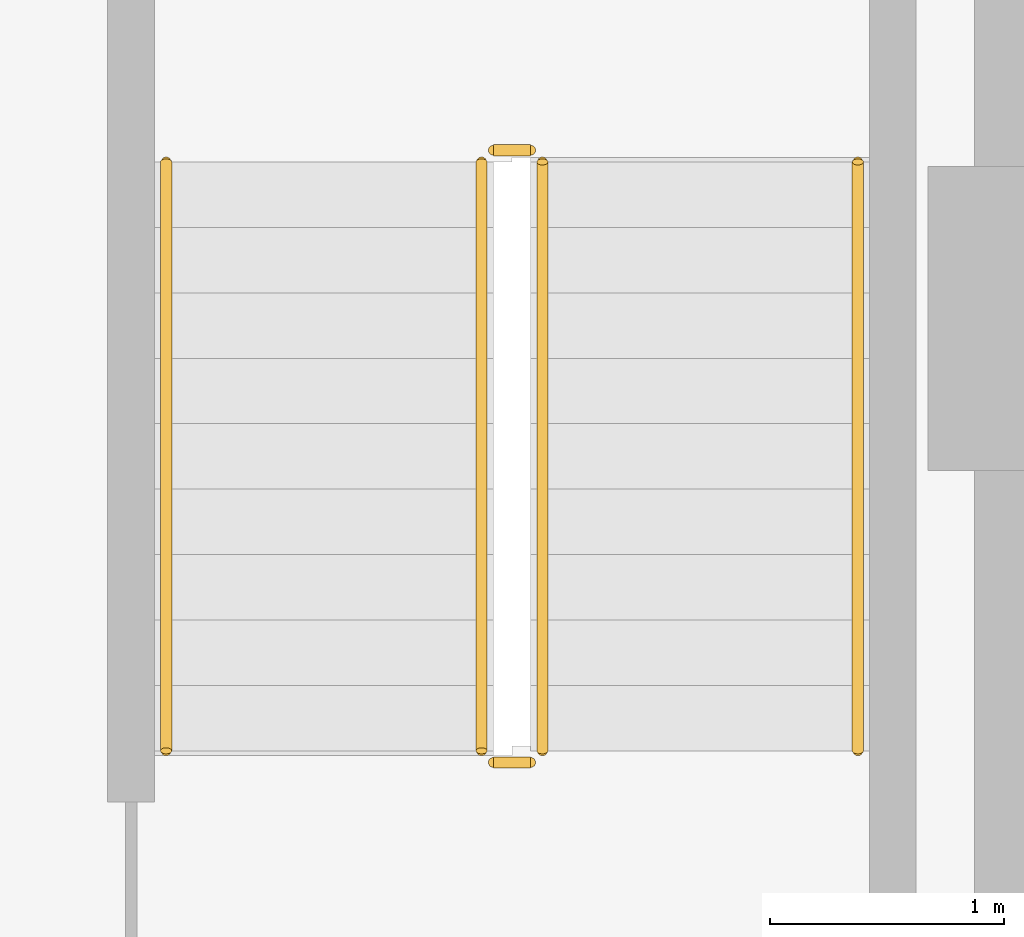
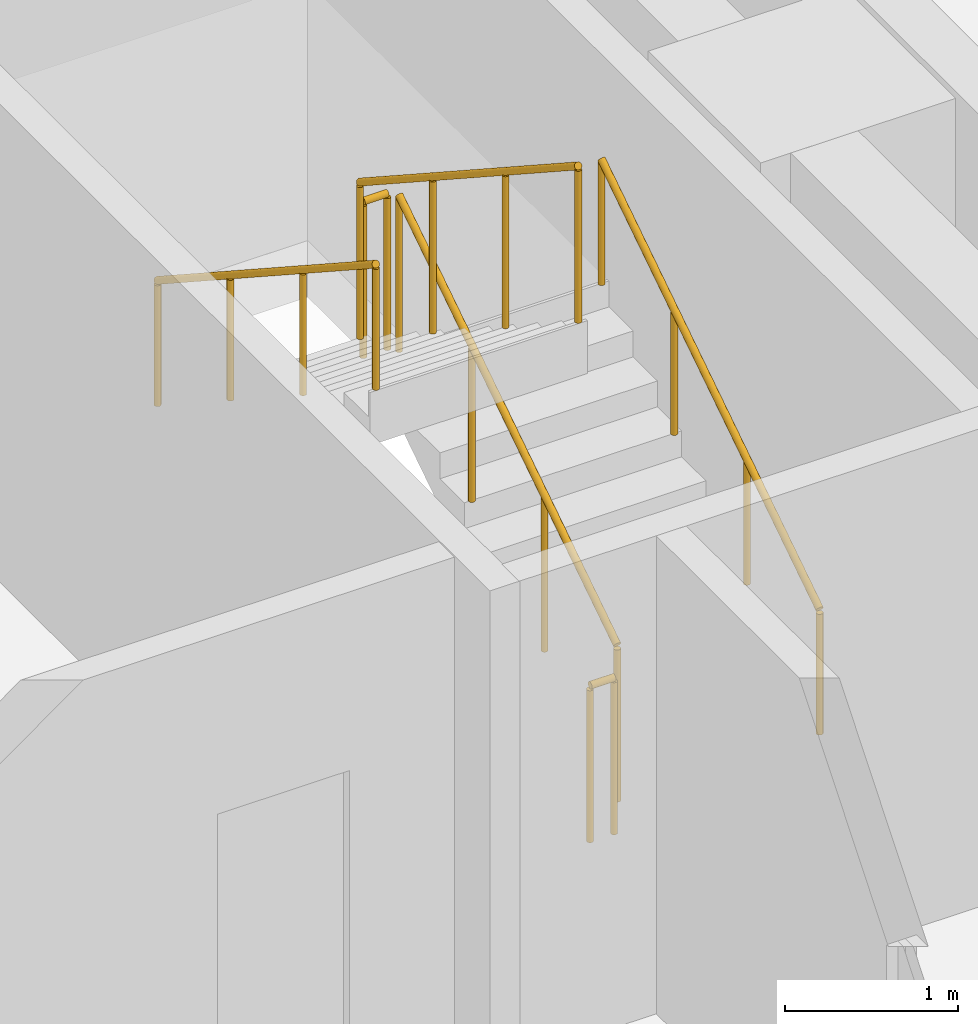
# One storey, part 12 of 13: 6 railings.
"""IFC4 building model written with IfcOpenShell, lengths in metres."""

from ifc_helpers import new_model, si_unit, direction, frame, origin, origin_2d, place, context, subcontext, project, spatial, circle, extrude, material, type_object, element, save


model = new_model("IFC4")

# Units and contexts
model_context = context("Model", 3, precision=1e-05, world=origin(), true_north=direction((0.0, 1.0)))
body_context = subcontext(model_context, "Body", "Model", "MODEL_VIEW")
ifc_project = project(units=[si_unit("LENGTHUNIT", "METRE"), si_unit("AREAUNIT", "SQUARE_METRE"), si_unit("VOLUMEUNIT", "CUBIC_METRE"), si_unit("PLANEANGLEUNIT", "RADIAN"), si_unit("MASSUNIT", "GRAM", prefix="KILO")], contexts=[model_context])

# Site, building, storey
site_placement = place(None, origin())
site = spatial("IfcSite", under=ifc_project, at=site_placement, CompositionType="ELEMENT")
building_placement = place(site_placement, origin())
building = spatial("IfcBuilding", under=site, at=building_placement, Name="Nuvemarco Arch Tower", CompositionType="ELEMENT")
storey_placement = place(building_placement, frame((0.0, 0.0, 27.60009765625)))
storey = spatial("IfcBuildingStorey", under=building, at=storey_placement, Name="L06", CompositionType="ELEMENT", Elevation=27.60009765625)

# Railings
ifc_material_1 = material(Name="Brushed stainless steel handrail", Category="steel")
railing_type_1 = type_object("IfcRailingType", Name="RL-HANDRAIL-900", PredefinedType="HANDRAIL", material=ifc_material_1)
railing_1_placement = place(storey_placement, frame((16.550048828125, 2.64990234375, 0.182373046875)))
element("IfcRailing", 1, at=railing_1_placement, inside=storey, type_object=railing_type_1, Name="L06 ST-2 stair handrail 1", PredefinedType="HANDRAIL", context=body_context, shape_type="SweptSolid", body=[
    extrude(circle(Radius=0.02392578125, at=origin_2d()), frame((0.0, 0.0, 0.8759765625), z_axis=(0.0, 0.837749427056, 0.546054848405), x_axis=(-1.0, 0.0, 0.0)), (0.0, 0.0, 1.0), 3.008056640625),
    extrude(circle(Radius=0.02099609375, at=origin_2d()), origin(), (0.0, 0.0, 1.0), 0.851806640625),
    extrude(circle(Radius=0.02099609375, at=origin_2d()), frame((0.0, 0.840087890625, 0.547607421875)), (0.0, 0.0, 1.0), 0.851806640625),
    extrude(circle(Radius=0.02099609375, at=origin_2d()), frame((0.0, 1.679931640625, 1.094970703125)), (0.0, 0.0, 1.0), 0.851806640625),
    extrude(circle(Radius=0.02099609375, at=origin_2d()), frame((0.0, 2.52001953125, 1.642578125)), (0.0, 0.0, 1.0), 0.851806640625),
])
railing_2_placement = place(storey_placement, frame((13.590087890625, 5.169921875, 2.00732421875)))
element("IfcRailing", 2, at=railing_2_placement, inside=storey, type_object=railing_type_1, Name="L06 ST-2 stair handrail 2", PredefinedType="HANDRAIL", context=body_context, shape_type="SweptSolid", body=[
    extrude(circle(Radius=0.02392578125, at=origin_2d()), frame((0.0, 0.0, 0.8759765625), z_axis=(0.0, -0.837749427056, 0.546054848405), x_axis=(1.0, 0.0, 0.0)), (0.0, 0.0, 1.0), 3.008056640625),
    extrude(circle(Radius=0.02099609375, at=origin_2d()), origin(), (0.0, 0.0, 1.0), 0.851806640625),
    extrude(circle(Radius=0.02099609375, at=origin_2d()), frame((0.0, -0.840087890625, 0.547607421875)), (0.0, 0.0, 1.0), 0.851806640625),
    extrude(circle(Radius=0.02099609375, at=origin_2d()), frame((0.0, -1.679931640625, 1.094970703125)), (0.0, 0.0, 1.0), 0.851806640625),
    extrude(circle(Radius=0.02099609375, at=origin_2d()), frame((0.0, -2.52001953125, 1.642578125)), (0.0, 0.0, 1.0), 0.851806640625),
])
ifc_material_2 = material(Name="Painted balustrade steel S355", Category="steel")
railing_type_2 = type_object("IfcRailingType", Name="RL-STAIR-GUARD", PredefinedType="GUARDRAIL", material=ifc_material_2)
railing_3_placement = place(storey_placement, frame((15.199951171875, 2.64990234375, 0.182373046875)))
element("IfcRailing", 3, at=railing_3_placement, inside=storey, type_object=railing_type_2, Name="L06 ST-2 stair guard 1", PredefinedType="GUARDRAIL", context=body_context, shape_type="SweptSolid", body=[
    extrude(circle(Radius=0.02392578125, at=origin_2d()), frame((0.0, 0.0, 1.09619140625), z_axis=(0.0, 0.837749427056, 0.546054848405), x_axis=(-1.0, 0.0, 0.0)), (0.0, 0.0, 1.0), 3.008056640625),
    extrude(circle(Radius=0.02099609375, at=origin_2d()), origin(), (0.0, 0.0, 1.0), 1.072021484375),
    extrude(circle(Radius=0.02099609375, at=origin_2d()), frame((0.0, 0.840087890625, 0.547607421875)), (0.0, 0.0, 1.0), 1.072021484375),
    extrude(circle(Radius=0.02099609375, at=origin_2d()), frame((0.0, 1.679931640625, 1.094970703125)), (0.0, 0.0, 1.0), 1.072021484375),
    extrude(circle(Radius=0.02099609375, at=origin_2d()), frame((0.0, 2.52001953125, 1.642578125)), (0.0, 0.0, 1.0), 1.072021484375),
])
railing_4_placement = place(storey_placement, frame((15.14990234375, 5.219970703125, 1.824951171875)))
element("IfcRailing", 4, at=railing_4_placement, inside=storey, type_object=railing_type_2, Name="L06 ST-2 stair guard 2", PredefinedType="GUARDRAIL", context=body_context, shape_type="SweptSolid", body=[
    extrude(circle(Radius=0.02392578125, at=origin_2d()), frame((0.0, 0.0, 1.09619140625), z_axis=(-1.0, 0.0, 0.0), x_axis=(0.0, -1.0, 0.0)), (0.0, 0.0, 1.0), 0.159912109375),
    extrude(circle(Radius=0.02099609375, at=origin_2d()), origin(), (0.0, 0.0, 1.0), 1.072021484375),
    extrude(circle(Radius=0.02099609375, at=origin_2d()), frame((-0.159912109375, 0.0, 0.0)), (0.0, 0.0, 1.0), 1.072021484375),
])
railing_5_placement = place(storey_placement, frame((14.93994140625, 5.169921875, 2.00732421875)))
element("IfcRailing", 5, at=railing_5_placement, inside=storey, type_object=railing_type_2, Name="L06 ST-2 stair guard 3", PredefinedType="GUARDRAIL", context=body_context, shape_type="SweptSolid", body=[
    extrude(circle(Radius=0.02392578125, at=origin_2d()), frame((0.0, 0.0, 1.09619140625), z_axis=(0.0, -0.837749427056, 0.546054848405), x_axis=(1.0, 0.0, 0.0)), (0.0, 0.0, 1.0), 3.008056640625),
    extrude(circle(Radius=0.02099609375, at=origin_2d()), origin(), (0.0, 0.0, 1.0), 1.072021484375),
    extrude(circle(Radius=0.02099609375, at=origin_2d()), frame((0.0, -0.840087890625, 0.547607421875)), (0.0, 0.0, 1.0), 1.072021484375),
    extrude(circle(Radius=0.02099609375, at=origin_2d()), frame((0.0, -1.679931640625, 1.094970703125)), (0.0, 0.0, 1.0), 1.072021484375),
    extrude(circle(Radius=0.02099609375, at=origin_2d()), frame((0.0, -2.52001953125, 1.642578125)), (0.0, 0.0, 1.0), 1.072021484375),
])
railing_6_placement = place(storey_placement, frame((15.14990234375, 2.60009765625, 0.0)))
element("IfcRailing", 6, at=railing_6_placement, inside=storey, type_object=railing_type_2, Name="L06 ST-2 stair guard 4", PredefinedType="GUARDRAIL", context=body_context, shape_type="SweptSolid", body=[
    extrude(circle(Radius=0.02392578125, at=origin_2d()), frame((0.0, 0.0, 1.09619140625), z_axis=(-1.0, 0.0, 0.0), x_axis=(0.0, -1.0, 0.0)), (0.0, 0.0, 1.0), 0.159912109375),
    extrude(circle(Radius=0.02099609375, at=origin_2d()), origin(), (0.0, 0.0, 1.0), 1.072021484375),
    extrude(circle(Radius=0.02099609375, at=origin_2d()), frame((-0.159912109375, 0.0, 0.0)), (0.0, 0.0, 1.0), 1.072021484375),
])

save(model, "model.ifc")
